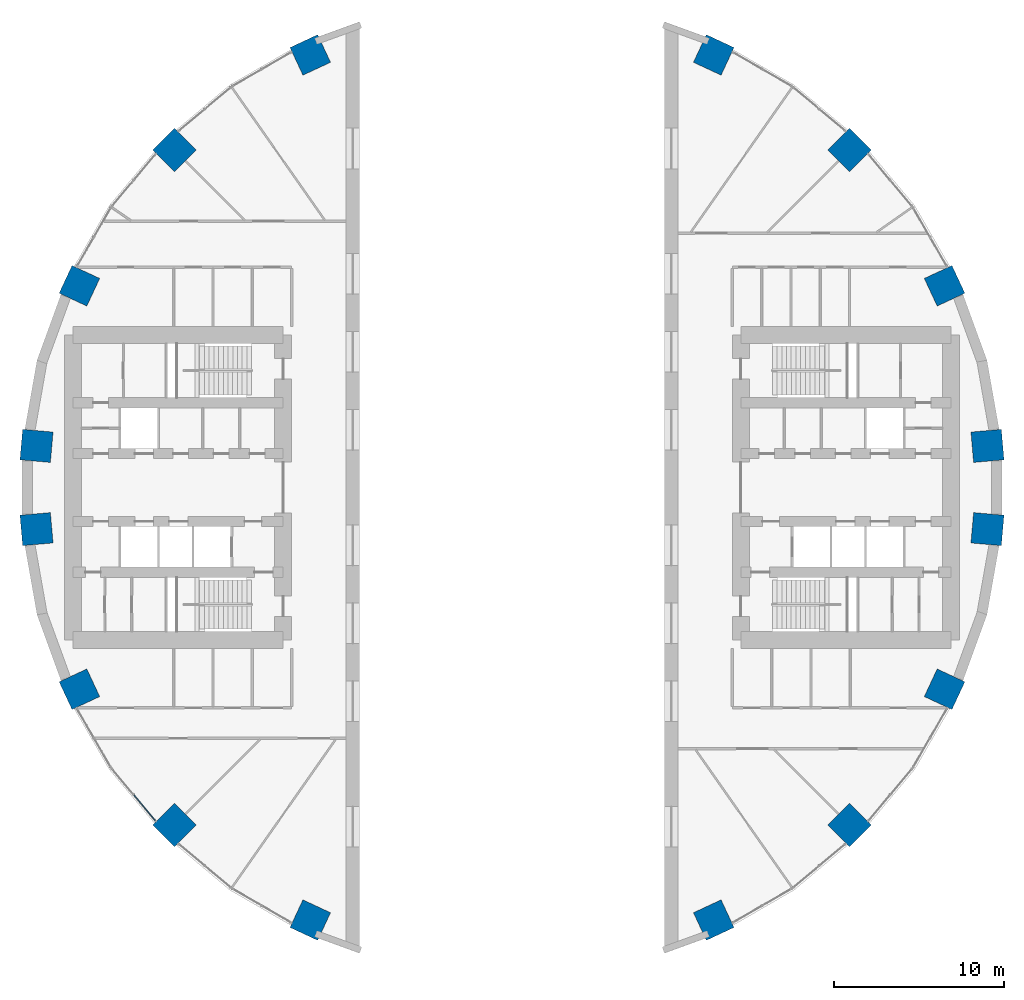
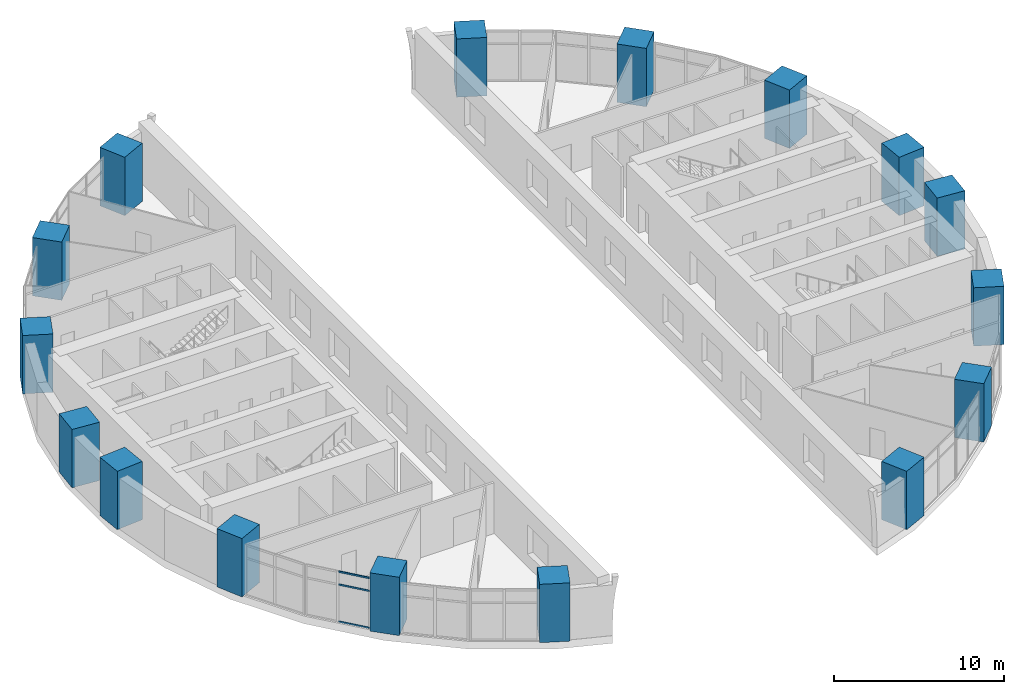
# One storey, part 1 of 13: 16 columns, 3 members, 1 element without a shape of its own.
"""IFC4 building model written with IfcOpenShell, lengths in metres."""

from ifc_helpers import new_model, si_unit, direction, frame, origin, origin_2d, place, context, subcontext, project, spatial, rectangle, extrude, material, layer, layer_set, material_profile, profile_set, type_object, element, aggregate, save


model = new_model("IFC4")

# Units and contexts
model_context = context("Model", 3, precision=1e-05, world=origin(), true_north=direction((0.0, 1.0)))
body_context = subcontext(model_context, "Body", "Model", "MODEL_VIEW")
ifc_project = project(units=[si_unit("LENGTHUNIT", "METRE"), si_unit("AREAUNIT", "SQUARE_METRE"), si_unit("VOLUMEUNIT", "CUBIC_METRE"), si_unit("PLANEANGLEUNIT", "RADIAN"), si_unit("MASSUNIT", "GRAM", prefix="KILO")], contexts=[model_context])

# Site, building, storey
site_placement = place(None, origin())
site = spatial("IfcSite", under=ifc_project, at=site_placement, CompositionType="ELEMENT")
building_placement = place(site_placement, origin())
building = spatial("IfcBuilding", under=site, at=building_placement, Name="Saqina Gate Tower", CompositionType="ELEMENT")
storey_placement = place(building_placement, frame((0.0, 0.0, 5.0)))
storey = spatial("IfcBuildingStorey", under=building, at=storey_placement, Name="L01", CompositionType="ELEMENT", Elevation=5.0)

# Columns
ifc_material_1 = material(Name="Concrete C70/85", Category="concrete")
ifc_material_profile_1 = material_profile(ifc_material_1, rectangle(XDim=1.800048828125, YDim=1.800048828125, at=origin_2d()), Name="RC 1800x1800")
ifc_profile_set_1 = profile_set([ifc_material_profile_1], Name="Concrete C70/85")
column_type = type_object("IfcColumnType", Name="STR-COL-MEGA-P", PredefinedType="COLUMN", material=ifc_profile_set_1)
for number, where, z_axis, x_axis, name in (
    (1, (28.04296875, 2.453369140625, 0.0), (0.0, 0.0, 1.0), (0.996194698092, 0.087155742748, 0.0), "L01-COL01"),
    (2, (25.512451171875, 11.896728515625, 0.0), (0.0, 0.0, 1.0), (0.906307787037, 0.422618261741, 0.0), "L01-COL03"),
    (3, (19.905029296875, 19.905029296875, 0.0), (0.0, 0.0, 1.0), (0.707106781187, 0.707106781187, 0.0), "L01-COL05"),
    (4, (11.896728515625, 25.512451171875, 0.0), (0.0, 0.0, 1.0), (0.422618261741, 0.906307787037, 0.0), "L01-COL07"),
    (5, (-11.896728515625, 25.512451171875, 0.0), (0.0, 0.0, 1.0), (-0.422618261741, 0.906307787037, 0.0), "L01-COL12"),
    (6, (-19.905029296875, 19.905029296875, 0.0), (0.0, 0.0, 1.0), (-0.707106781187, 0.707106781187, 0.0), "L01-COL14"),
    (7, (-25.512451171875, 11.896728515625, 0.0), (0.0, 0.0, 1.0), (-0.906307787037, 0.422618261741, 0.0), "L01-COL16"),
    (8, (-28.04296875, 2.453369140625, 0.0), (0.0, 0.0, 1.0), (-0.996194698092, 0.087155742748, 0.0), "L01-COL18"),
    (9, (-28.04296875, -2.453369140625, 0.0), (0.0, 0.0, 1.0), (-0.996194698092, -0.087155742748, 0.0), "L01-COL19"),
    (10, (-25.512451171875, -11.896728515625, 0.0), (0.0, 0.0, 1.0), (-0.906307787037, -0.422618261741, 0.0), "L01-COL21"),
    (11, (-19.905029296875, -19.905029296875, 0.0), (0.0, 0.0, 1.0), (-0.707106781187, -0.707106781187, 0.0), "L01-COL23"),
    (12, (-11.896728515625, -25.512451171875, 0.0), (0.0, 0.0, 1.0), (-0.422618261741, -0.906307787037, 0.0), "L01-COL25"),
    (13, (11.896728515625, -25.512451171875, 0.0), (0.0, 0.0, 1.0), (0.422618261741, -0.906307787037, 0.0), "L01-COL30"),
    (14, (19.905029296875, -19.905029296875, 0.0), (0.0, 0.0, 1.0), (0.707106781187, -0.707106781187, 0.0), "L01-COL32"),
    (15, (25.512451171875, -11.896728515625, 0.0), (0.0, 0.0, 1.0), (0.906307787037, -0.422618261741, 0.0), "L01-COL34"),
    (16, (28.04296875, -2.453369140625, 0.0), (0.0, 0.0, 1.0), (0.996194698092, -0.087155742748, 0.0), "L01-COL36"),
):
    element("IfcColumn", number, at=place(storey_placement, frame(where, z_axis=z_axis, x_axis=x_axis)), inside=storey, type_object=column_type, Name=name, PredefinedType="COLUMN", context=body_context, shape_type="SweptSolid", body=[
        extrude(rectangle(XDim=1.800048828125, YDim=1.800048828125, at=origin_2d()), origin(), (0.0, 0.0, 1.0), 4.199951171875),
    ])

# Curtain wall, members
ifc_material_2 = material(Name="Aluminium glazing", Category="aluminium")
ifc_layer = layer(ifc_material_2, 0.159912109375)
ifc_layer_set = layer_set([ifc_layer], Name="CWT-1")
curtain_wall_type = type_object("IfcCurtainWallType", Name="CWT-1", PredefinedType="NOTDEFINED", material=ifc_layer_set)
curtain_wall_placement = place(storey_placement, origin())
curtain_wall = element("IfcCurtainWall", 17, at=curtain_wall_placement, inside=storey, type_object=curtain_wall_type, Name="Podium shopfront facet 22", PredefinedType="NOTDEFINED")
ifc_material_3 = material(Name="Aluminium", Category="aluminium")
ifc_material_profile_2 = material_profile(ifc_material_3, rectangle(XDim=0.06005859375, YDim=0.1201171875, at=origin_2d()), Name="Aluminium 60x120")
ifc_profile_set_2 = profile_set([ifc_material_profile_2], Name="Aluminium")
member_type = type_object("IfcMemberType", Name="CWT-1T", PredefinedType="USERDEFINED", material=ifc_profile_set_2)
member_1_placement = place(storey_placement, frame((-22.294189453125, -18.141845703125, 0.030029296875), z_axis=(0.642835731235, -0.76600406177, 0.0), x_axis=(0.76600406177, 0.642835731235, 0.0)))
member_1 = element("IfcMember", 18, at=member_1_placement, type_object=member_type, Name="CW1-22 transom 2.1", ObjectType="TRANSOM", PredefinedType="USERDEFINED", context=body_context, shape_type="SweptSolid", body=[
    extrude(rectangle(XDim=0.06005859375, YDim=0.1201171875, at=origin_2d()), origin(), (0.0, 0.0, 1.0), 1.944580078125),
])
member_2_placement = place(storey_placement, frame((-22.294189453125, -18.141845703125, 2.699951171875), z_axis=(0.642835731235, -0.76600406177, 0.0), x_axis=(0.76600406177, 0.642835731235, 0.0)))
member_2 = element("IfcMember", 19, at=member_2_placement, type_object=member_type, Name="CW1-22 transom 2.2", ObjectType="TRANSOM", PredefinedType="USERDEFINED", context=body_context, shape_type="SweptSolid", body=[
    extrude(rectangle(XDim=0.06005859375, YDim=0.1201171875, at=origin_2d()), origin(), (0.0, 0.0, 1.0), 1.944580078125),
])
member_3_placement = place(storey_placement, frame((-22.294189453125, -18.141845703125, 3.6201171875), z_axis=(0.642835731235, -0.76600406177, 0.0), x_axis=(0.76600406177, 0.642835731235, 0.0)))
member_3 = element("IfcMember", 20, at=member_3_placement, type_object=member_type, Name="CW1-22 transom 2.3", ObjectType="TRANSOM", PredefinedType="USERDEFINED", context=body_context, shape_type="SweptSolid", body=[
    extrude(rectangle(XDim=0.06005859375, YDim=0.1201171875, at=origin_2d()), origin(), (0.0, 0.0, 1.0), 1.944580078125),
])
aggregate(curtain_wall, [member_1, member_2, member_3])

save(model, "model.ifc")
